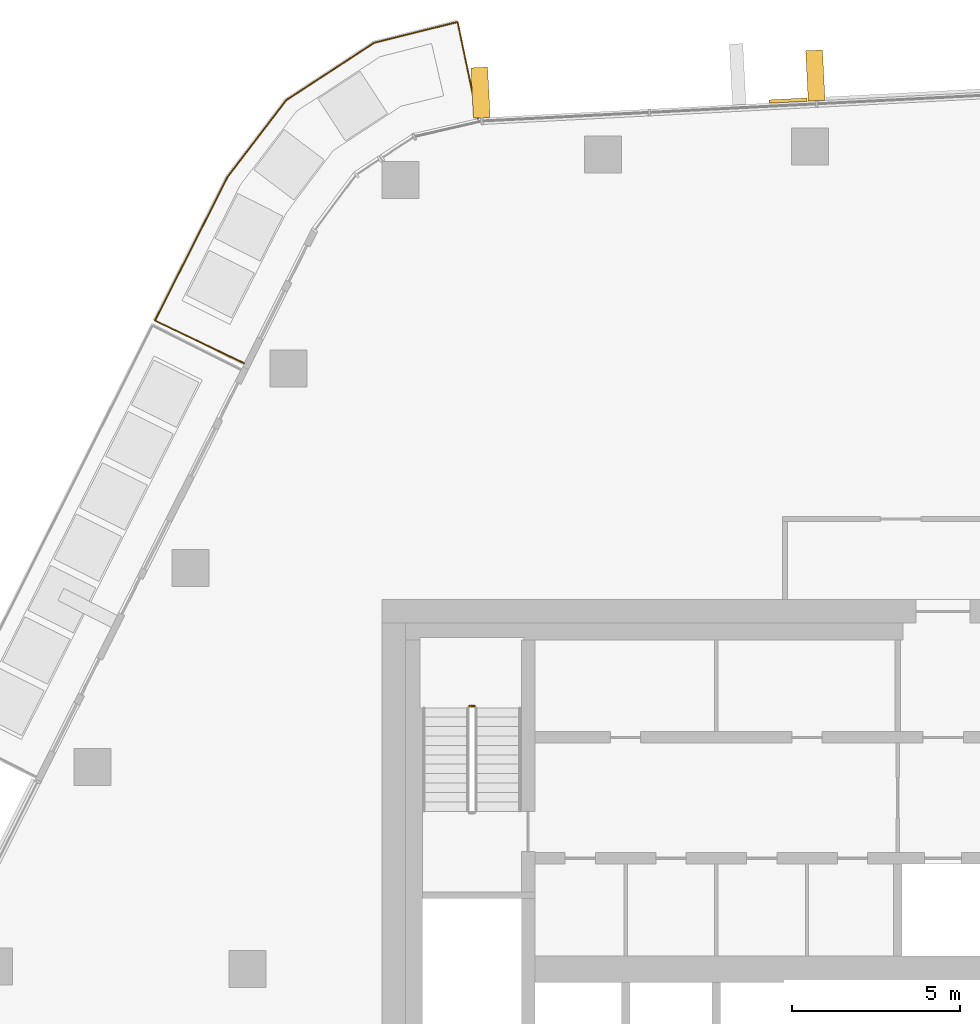
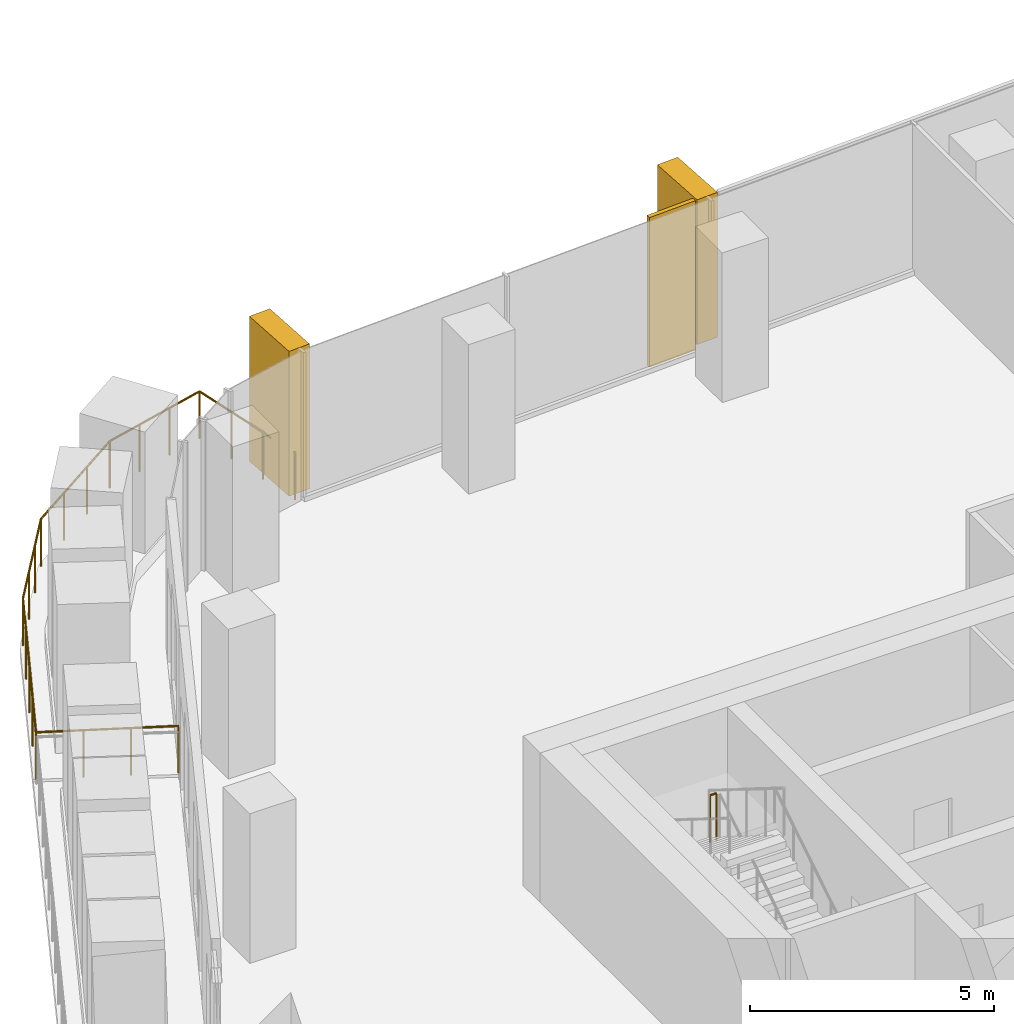
# One storey, part 19 of 21: 3 coverings, 2 railings, 1 element without a shape of its own.
"""IFC4 building model written with IfcOpenShell, lengths in metres."""

import ifcopenshell
import ifcopenshell.guid

model = None  # the IFC model being written
_history = None  # IfcOwnerHistory: only IFC2X3 demands one
_inside = {}  # id of a spatial element -> (the spatial element, [elements in it])
_under = {}  # id of a project, library or spatial element -> (it, [spatial elements below it])
_declared = {}  # id of a project -> (the project, [libraries it declares])
_typed = {}  # id of a type object -> (the type object, [elements of that type])
_made_of = {}  # id of a material, layer set ... -> (it, [elements and type objects made of it])


def new_model(schema):
    """Start an empty IFC model of exactly this schema.

    Asked for "IFC4X3", IfcOpenShell would pick the latest addendum, in which some entities
    have other attributes; the version numbers below select the first issue.
    IFC2X3 requires an IfcOwnerHistory on every rooted entity: one is made here for all.
    """
    global model, _history
    if schema == "IFC4X3":
        model = ifcopenshell.file(schema_version=(4, 3, 0, 0))
    else:
        model = ifcopenshell.file(schema=schema)
    _inside.clear()
    _under.clear()
    _declared.clear()
    _typed.clear()
    _made_of.clear()
    _history = None
    if model.schema == "IFC2X3":
        org = make("IfcOrganization", Name="unknown")
        user = make(
            "IfcPersonAndOrganization",
            ThePerson=make("IfcPerson", FamilyName="unknown"),
            TheOrganization=org,
        )
        app = make(
            "IfcApplication",
            ApplicationDeveloper=org,
            Version="unknown",
            ApplicationFullName="unknown",
            ApplicationIdentifier="unknown",
        )
        _history = make(
            "IfcOwnerHistory",
            OwningUser=user,
            OwningApplication=app,
            ChangeAction="ADDED",
            CreationDate=0,
        )
    return model


def make(cls, **values):
    """One entity of the class cls with the attributes given. An attribute that is None is left unset."""
    return model.create_entity(
        cls, **{name: value for name, value in values.items() if value is not None}
    )


def rooted(cls, **values):
    """An entity with a GlobalId (a new one), such as an element, a storey or a relation."""
    return make(cls, GlobalId=ifcopenshell.guid.new(), OwnerHistory=_history, **values)


def si_unit(unit_type, name, prefix=None):
    """IfcSIUnit, for example si_unit("LENGTHUNIT", "METRE", prefix="MILLI")."""
    return make("IfcSIUnit", UnitType=unit_type, Prefix=prefix, Name=name)


def assignment(units):
    """IfcUnitAssignment: the units of a project."""
    return None if units is None else make("IfcUnitAssignment", Units=units)


def point(xyz):
    """IfcCartesianPoint."""
    return None if xyz is None else make("IfcCartesianPoint", Coordinates=xyz)


def direction(xyz):
    """IfcDirection."""
    return None if xyz is None else make("IfcDirection", DirectionRatios=xyz)


def frame(location, z_axis=None, x_axis=None):
    """IfcAxis2Placement3D, a coordinate frame: its origin and axes. An axis left out is left unset."""
    return make(
        "IfcAxis2Placement3D",
        Location=point(location),
        Axis=direction(z_axis),
        RefDirection=direction(x_axis),
    )


def frame_2d(location, x_axis=None):
    """IfcAxis2Placement2D, a coordinate frame in the plane: its origin and x axis."""
    return make(
        "IfcAxis2Placement2D", Location=point(location), RefDirection=direction(x_axis)
    )


def origin():
    """The frame at (0, 0, 0) with its axes left unset."""
    return frame((0.0, 0.0, 0.0))


def origin_2d():
    """The frame at (0, 0) in the plane with its x axis left unset."""
    return frame_2d((0.0, 0.0))


def place(relative_to, where):
    """IfcLocalPlacement: puts the frame where relative to a parent placement (None: the world)."""
    return make(
        "IfcLocalPlacement", PlacementRelTo=relative_to, RelativePlacement=where
    )


def context(
    kind, dimensions, precision=None, world=None, true_north=None, identifier=None
):
    """IfcGeometricRepresentationContext, for example the 3D "Model" context."""
    return make(
        "IfcGeometricRepresentationContext",
        ContextIdentifier=identifier,
        ContextType=kind,
        CoordinateSpaceDimension=dimensions,
        Precision=precision,
        WorldCoordinateSystem=world,
        TrueNorth=true_north,
    )


def subcontext(parent, identifier, kind, view, scale=None):
    """IfcGeometricRepresentationSubContext, for example "Body" below "Model"."""
    return make(
        "IfcGeometricRepresentationSubContext",
        ContextIdentifier=identifier,
        ContextType=kind,
        ParentContext=parent,
        TargetScale=scale,
        TargetView=view,
    )


def project(units=None, contexts=None):
    """IfcProject with its units and contexts."""
    return rooted(
        "IfcProject",
        Name="project",
        RepresentationContexts=contexts,
        UnitsInContext=assignment(units),
    )


def spatial(cls, under=None, at=None, **own):
    """A site, building, storey or space (cls), placed at a placement, below another one or the project."""
    s = rooted(cls, ObjectPlacement=at, **own)
    if under is not None:
        _under.setdefault(under.id(), (under, []))[1].append(s)
    return s


def profile(cls, at=None, kind="AREA", **sizes):
    """A parametric profile (cls). Its sizes go by their IFC names, for example OverallWidth=200.0."""
    return make(cls, ProfileType=kind, Position=at, **sizes)


def rectangle(**sizes):
    """IfcRectangleProfileDef."""
    return profile("IfcRectangleProfileDef", **sizes)


def circle(**sizes):
    """IfcCircleProfileDef."""
    return profile("IfcCircleProfileDef", **sizes)


def extrude(swept, where, along, depth):
    """IfcExtrudedAreaSolid: the profile swept, set in the frame where, extruded along a direction by depth."""
    return make(
        "IfcExtrudedAreaSolid",
        SweptArea=swept,
        Position=where,
        ExtrudedDirection=direction(along),
        Depth=depth,
    )


def shape(context_of_items, identifier, shape_type, items):
    """IfcShapeRepresentation: the items that make up one representation, for example the "Body"."""
    return make(
        "IfcShapeRepresentation",
        ContextOfItems=context_of_items,
        RepresentationIdentifier=identifier,
        RepresentationType=shape_type,
        Items=items,
    )


def material(Name=None, Category=None):
    """IfcMaterial."""
    return make("IfcMaterial", Name=Name, Category=Category)


def layer(
    of_material, thickness, ventilated=None, Name=None, Category=None, Priority=None
):
    """IfcMaterialLayer: one layer of a wall or slab, of a material (None: an air gap)."""
    return make(
        "IfcMaterialLayer",
        Material=of_material,
        LayerThickness=thickness,
        IsVentilated=ventilated,
        Name=Name,
        Category=Category,
        Priority=Priority,
    )


def layer_set(layers, Name=None):
    """IfcMaterialLayerSet."""
    return make("IfcMaterialLayerSet", MaterialLayers=layers, LayerSetName=Name)


def material_profile(
    of_material, cross_section, Name=None, Category=None, Priority=None
):
    """IfcMaterialProfile: a cross section and its material."""
    return make(
        "IfcMaterialProfile",
        Name=Name,
        Material=of_material,
        Profile=cross_section,
        Priority=Priority,
        Category=Category,
    )


def profile_set(profiles, Name=None, composite=None):
    """IfcMaterialProfileSet."""
    return make(
        "IfcMaterialProfileSet",
        Name=Name,
        MaterialProfiles=profiles,
        CompositeProfile=composite,
    )


def made_of(thing, what):
    """Note that an element or type object is made of a material, layer set ...; save() writes the relation."""
    if what is not None:
        _made_of.setdefault(what.id(), (what, []))[1].append(thing)
    return thing


def type_object(cls, material=None, **own):
    """A type object (cls), such as IfcWallType, which elements share."""
    return made_of(rooted(cls, **own), material)


def element(
    cls,
    number,
    at=None,
    inside=None,
    cuts=None,
    type_object=None,
    material=None,
    context=None,
    identifier="Body",
    shape_type=None,
    held_by="IfcProductDefinitionShape",
    body=None,
    shapes=None,
    **own,
):
    """One element of the class cls, such as IfcWall. Its Tag is "e" and its number.

    at: its placement. inside: the storey or other place that contains it. cuts: it is an
    opening in that element (IfcRelVoidsElement). A single representation is given by context,
    identifier, shape_type and body (its items); several are given by shapes. held_by: the class
    of the entity that holds the representations. save() writes the other relations.
    """
    e = rooted(cls, Tag="e%d" % number, ObjectPlacement=at, **own)
    if body is not None:
        shapes = [shape(context, identifier, shape_type, body)]
    if shapes is not None:
        e.Representation = make(held_by, Representations=shapes)
    if inside is not None:
        _inside.setdefault(inside.id(), (inside, []))[1].append(e)
    if cuts is not None:
        rooted(
            "IfcRelVoidsElement", RelatingBuildingElement=cuts, RelatedOpeningElement=e
        )
    if type_object is not None:
        _typed.setdefault(type_object.id(), (type_object, []))[1].append(e)
    return made_of(e, material)


def aggregate(whole, parts):
    """IfcRelAggregates: a whole, such as a stair, and the parts it consists of."""
    return rooted("IfcRelAggregates", RelatingObject=whole, RelatedObjects=parts)


def save(model, path):
    """Write the relations noted so far, then the file.

    IfcRelAggregates (storeys below a building ...), IfcRelContainedInSpatialStructure (elements
    in a storey), IfcRelDefinesByType, IfcRelAssociatesMaterial and IfcRelDeclares: one each for
    every whole, place, type object, material and project.
    """
    for whole, parts in _under.values():
        aggregate(whole, parts)
    for where, things in _inside.values():
        rooted(
            "IfcRelContainedInSpatialStructure",
            RelatedElements=things,
            RelatingStructure=where,
        )
    for kind, things in _typed.values():
        rooted("IfcRelDefinesByType", RelatedObjects=things, RelatingType=kind)
    for what, things in _made_of.values():
        rooted("IfcRelAssociatesMaterial", RelatedObjects=things, RelatingMaterial=what)
    for by, libraries in _declared.values():
        rooted("IfcRelDeclares", RelatingContext=by, RelatedDefinitions=libraries)
    model.write(path)


model = new_model("IFC4")

# Units and contexts
model_context = context("Model", 3, precision=1e-05, world=origin(), true_north=direction((0.0, 1.0)))
body_context = subcontext(model_context, "Body", "Model", "MODEL_VIEW")
ifc_project = project(units=[si_unit("LENGTHUNIT", "METRE"), si_unit("AREAUNIT", "SQUARE_METRE"), si_unit("VOLUMEUNIT", "CUBIC_METRE"), si_unit("PLANEANGLEUNIT", "RADIAN"), si_unit("MASSUNIT", "GRAM", prefix="KILO")], contexts=[model_context])

# Site, building, storey
site_placement = place(None, origin())
site = spatial("IfcSite", under=ifc_project, at=site_placement, CompositionType="ELEMENT")
building_placement = place(site_placement, origin())
building = spatial("IfcBuilding", under=site, at=building_placement, Name="Dongbaek Canopy Tower", CompositionType="ELEMENT")
storey_placement = place(building_placement, frame((0.0, 0.0, 232.800048828125)))
storey = spatial("IfcBuildingStorey", under=building, at=storey_placement, Name="L48", CompositionType="ELEMENT", Elevation=232.800048828125)

# Railing
ifc_material_1 = material(Name="Stainless steel", Category="steel")
railing_type_1 = type_object("IfcRailingType", Name="Balcony balustrade 1200", PredefinedType="BALUSTRADE", material=ifc_material_1)
railing_1_placement = place(storey_placement, frame((-11.145263671875, 25.31201171875, 0.0)))
element("IfcRailing", 1, at=railing_1_placement, inside=storey, type_object=railing_type_1, Name="Balcony guard L48 4", PredefinedType="BALUSTRADE", context=body_context, shape_type="SweptSolid", body=[
    extrude(circle(Radius=0.02392578125, at=origin_2d()), frame((0.0, 0.0, 1.17578125), z_axis=(-0.204985235917, 0.978765065302, 0.0), x_axis=(-0.978765065302, -0.204985235917, 0.0)), (0.0, 0.0, 1.0), 2.940673828125),
    extrude(circle(Radius=0.02392578125, at=origin_2d()), frame((-0.602783203125, 2.878173828125, 1.17578125), z_axis=(-0.97025452573, -0.242087082058, 0.0), x_axis=(0.242087082058, -0.97025452573, 0.0)), (0.0, 0.0, 1.0), 2.5615234375),
    extrude(circle(Radius=0.02392578125, at=origin_2d()), frame((-3.088134765625, 2.258056640625, 1.17578125), z_axis=(-0.837419378181, -0.546560870394, 0.0), x_axis=(0.546560870394, -0.837419378181, 0.0)), (0.0, 0.0, 1.0), 3.125),
    extrude(circle(Radius=0.02392578125, at=origin_2d()), frame((-5.705078125, 0.550048828125, 1.17578125), z_axis=(-0.607570123847, -0.794266041455, 0.0), x_axis=(0.794266041455, -0.607570123847, 0.0)), (0.0, 0.0, 1.0), 2.869140625),
    extrude(circle(Radius=0.02392578125, at=origin_2d()), frame((-7.4482421875, -1.728759765625, 1.17578125), z_axis=(-0.451035547086, -0.892505986123, 0.0), x_axis=(0.892505986123, -0.451035547086, 0.0)), (0.0, 0.0, 1.0), 4.798583984375),
    extrude(circle(Radius=0.02392578125, at=origin_2d()), frame((-9.612548828125, -6.011474609375, 1.17578125), z_axis=(0.902527241049, -0.430632766013, 0.0), x_axis=(0.430632766013, 0.902527241049, 0.0)), (0.0, 0.0, 1.0), 2.940673828125),
    extrude(circle(Radius=0.02099609375, at=origin_2d()), origin(), (0.0, 0.0, 1.0), 1.15185546875),
    extrude(circle(Radius=0.02099609375, at=origin_2d()), frame((-0.200927734375, 0.95947265625, 0.0)), (0.0, 0.0, 1.0), 1.15185546875),
    extrude(circle(Radius=0.02099609375, at=origin_2d()), frame((-0.40185546875, 1.918701171875, 0.0)), (0.0, 0.0, 1.0), 1.15185546875),
    extrude(circle(Radius=0.02099609375, at=origin_2d()), frame((-0.602783203125, 2.878173828125, 0.0)), (0.0, 0.0, 1.0), 1.15185546875),
    extrude(circle(Radius=0.02099609375, at=origin_2d()), frame((-1.43115234375, 2.67138671875, 0.0)), (0.0, 0.0, 1.0), 1.15185546875),
    extrude(circle(Radius=0.02099609375, at=origin_2d()), frame((-2.259765625, 2.46484375, 0.0)), (0.0, 0.0, 1.0), 1.15185546875),
    extrude(circle(Radius=0.02099609375, at=origin_2d()), frame((-3.088134765625, 2.258056640625, 0.0)), (0.0, 0.0, 1.0), 1.15185546875),
    extrude(circle(Radius=0.02099609375, at=origin_2d()), frame((-3.96044921875, 1.688720703125, 0.0)), (0.0, 0.0, 1.0), 1.15185546875),
    extrude(circle(Radius=0.02099609375, at=origin_2d()), frame((-4.832763671875, 1.119384765625, 0.0)), (0.0, 0.0, 1.0), 1.15185546875),
    extrude(circle(Radius=0.02099609375, at=origin_2d()), frame((-5.705078125, 0.550048828125, 0.0)), (0.0, 0.0, 1.0), 1.15185546875),
    extrude(circle(Radius=0.02099609375, at=origin_2d()), frame((-6.2861328125, -0.20947265625, 0.0)), (0.0, 0.0, 1.0), 1.15185546875),
    extrude(circle(Radius=0.02099609375, at=origin_2d()), frame((-6.8671875, -0.96923828125, 0.0)), (0.0, 0.0, 1.0), 1.15185546875),
    extrude(circle(Radius=0.02099609375, at=origin_2d()), frame((-7.4482421875, -1.728759765625, 0.0)), (0.0, 0.0, 1.0), 1.15185546875),
    extrude(circle(Radius=0.02099609375, at=origin_2d()), frame((-7.9892578125, -2.79931640625, 0.0)), (0.0, 0.0, 1.0), 1.15185546875),
    extrude(circle(Radius=0.02099609375, at=origin_2d()), frame((-8.5302734375, -3.8701171875, 0.0)), (0.0, 0.0, 1.0), 1.15185546875),
    extrude(circle(Radius=0.02099609375, at=origin_2d()), frame((-9.071533203125, -4.94091796875, 0.0)), (0.0, 0.0, 1.0), 1.15185546875),
    extrude(circle(Radius=0.02099609375, at=origin_2d()), frame((-9.612548828125, -6.011474609375, 0.0)), (0.0, 0.0, 1.0), 1.15185546875),
    extrude(circle(Radius=0.02099609375, at=origin_2d()), frame((-8.727783203125, -6.43359375, 0.0)), (0.0, 0.0, 1.0), 1.15185546875),
    extrude(circle(Radius=0.02099609375, at=origin_2d()), frame((-7.84326171875, -6.855712890625, 0.0)), (0.0, 0.0, 1.0), 1.15185546875),
    extrude(circle(Radius=0.02099609375, at=origin_2d()), frame((-6.95849609375, -7.27783203125, 0.0)), (0.0, 0.0, 1.0), 1.15185546875),
])

# Curtain wall, coverings
ifc_material_2 = material(Name="Aluminium 6063-T6 pale anodised", Category="aluminium")
ifc_layer_1 = layer(ifc_material_2, 0.199951171875)
ifc_layer_set_1 = layer_set([ifc_layer_1], Name="CW-1 unitised tower curtain wall")
curtain_wall_type = type_object("IfcCurtainWallType", Name="CW-1 unitised tower curtain wall", PredefinedType="NOTDEFINED", material=ifc_layer_set_1)
curtain_wall_placement = place(storey_placement, origin())
curtain_wall = element("IfcCurtainWall", 2, at=curtain_wall_placement, inside=storey, type_object=curtain_wall_type, Name="CW-1 curtain wall F1.1", PredefinedType="NOTDEFINED")
ifc_material_3 = material(Name="Perforated aluminium 6063-T6 pale metal screen", Category="aluminium")
ifc_layer_2 = layer(ifc_material_3, 0.10009765625)
ifc_layer_set_2 = layer_set([ifc_layer_2], Name="Facet screen FS1 100 pale metal")
covering_type_1 = type_object("IfcCoveringType", Name="Facet screen FS1 100 pale metal", PredefinedType="CLADDING", material=ifc_layer_set_2)
covering_1_placement = place(storey_placement, frame((-1.918212890625, 25.85009765625, 0.0), z_axis=(0.0, 0.0, 1.0), x_axis=(-0.998689873476, -0.051171638795, 0.0)))
covering_1 = element("IfcCovering", 3, at=covering_1_placement, type_object=covering_type_1, Name="Facet screen L48 F1", PredefinedType="CLADDING", context=body_context, shape_type="SweptSolid", body=[
    extrude(rectangle(XDim=1.126708984375, YDim=0.10009765625, at=origin_2d()), origin(), (0.0, 0.0, 1.0), 3.75),
])
ifc_material_4 = material(Name="Aluminium 6063-T6 pale metal fin", Category="aluminium")
ifc_material_profile = material_profile(ifc_material_4, rectangle(XDim=1.5, YDim=0.5, at=origin_2d()), Name="Fin FN1 500 x 1500 pale metal")
ifc_profile_set = profile_set([ifc_material_profile], Name="Aluminium 6063-T6 pale metal fin")
covering_type_2 = type_object("IfcCoveringType", Name="Fin FN1 500 x 1500 pale metal", PredefinedType="CLADDING", material=ifc_profile_set)
covering_2_placement = place(storey_placement, frame((-1.10205078125, 26.5966796875, 0.119873046875), z_axis=(0.0, 0.0, 1.0), x_axis=(-0.051171421559, 0.998689884607, 0.0)))
covering_2 = element("IfcCovering", 4, at=covering_2_placement, type_object=covering_type_2, Name="Fin F1.1.3", PredefinedType="CLADDING", context=body_context, shape_type="SweptSolid", body=[
    extrude(rectangle(XDim=1.5, YDim=0.5, at=origin_2d()), origin(), (0.0, 0.0, 1.0), 3.630126953125),
])
covering_3_placement = place(storey_placement, frame((-11.067626953125, 26.086181640625, 0.119873046875), z_axis=(0.0, 0.0, 1.0), x_axis=(-0.051171421559, 0.998689884607, 0.0)))
covering_3 = element("IfcCovering", 5, at=covering_3_placement, type_object=covering_type_2, Name="Fin F1.1.5", PredefinedType="CLADDING", context=body_context, shape_type="SweptSolid", body=[
    extrude(rectangle(XDim=1.5, YDim=0.5, at=origin_2d()), origin(), (0.0, 0.0, 1.0), 3.630126953125),
])
aggregate(curtain_wall, [covering_2, covering_3, covering_1])

# Railing
ifc_material_5 = material(Name="Stainless steel tube and balusters", Category="steel")
railing_type_2 = type_object("IfcRailingType", Name="Stair guard 1200", PredefinedType="GUARDRAIL", material=ifc_material_5)
railing_2_placement = place(storey_placement, frame((-11.25, 7.830078125, 2.099853515625)))
element("IfcRailing", 6, at=railing_2_placement, inside=storey, type_object=railing_type_2, Name="L48 ST-C stair guard 2", PredefinedType="GUARDRAIL", context=body_context, shape_type="SweptSolid", body=[
    extrude(circle(Radius=0.02392578125, at=origin_2d()), frame((0.0, 0.0, 1.17578125), z_axis=(-1.0, 0.0, 0.0), x_axis=(0.0, -1.0, 0.0)), (0.0, 0.0, 1.0), 0.14990234375),
    extrude(circle(Radius=0.02099609375, at=origin_2d()), origin(), (0.0, 0.0, 1.0), 1.15185546875),
    extrude(circle(Radius=0.02099609375, at=origin_2d()), frame((-0.14990234375, 0.0, 0.0)), (0.0, 0.0, 1.0), 1.15185546875),
])

save(model, "model.ifc")
